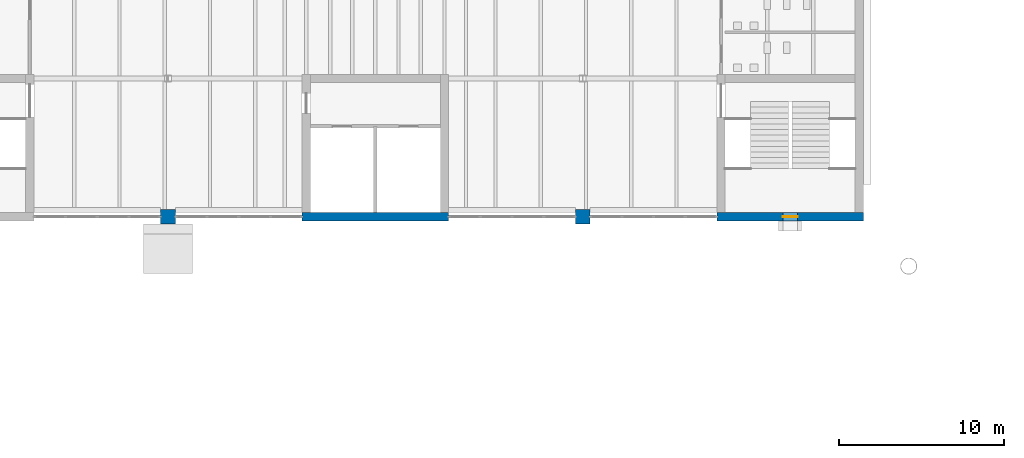
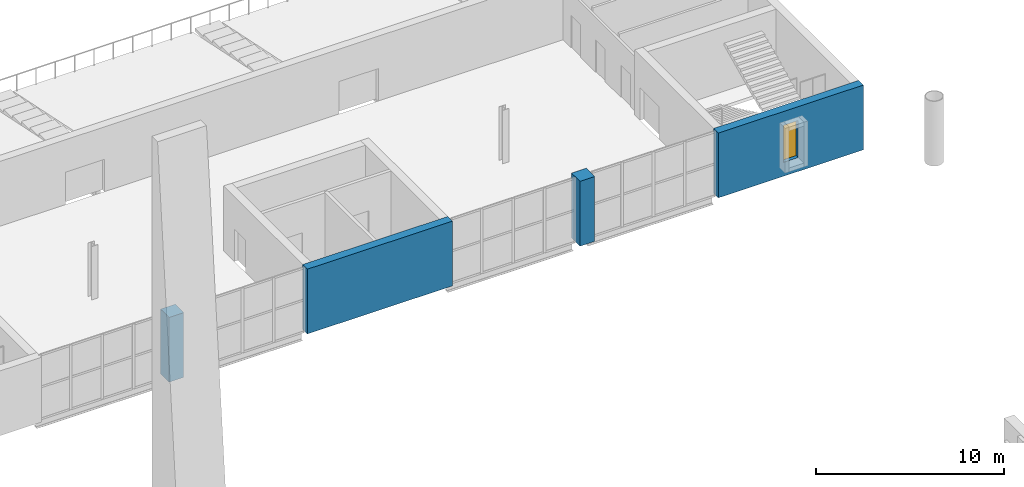
# One storey, part 68 of 100: 4 walls, 1 window, 1 opening.
"""IFC4 building model written with IfcOpenShell, lengths in metres."""

from ifc_helpers import new_model, si_unit, direction, frame, frame_2d, origin, place, context, subcontext, project, spatial, rectangle, extrude, material, layer, layer_set, type_object, element, fill, save


model = new_model("IFC4")

# Units and contexts
model_context = context("Model", 3, precision=1e-05, world=origin(), true_north=direction((0.0, 1.0)))
body_context = subcontext(model_context, "Body", "Model", "MODEL_VIEW")
ifc_project = project(units=[si_unit("LENGTHUNIT", "METRE"), si_unit("AREAUNIT", "SQUARE_METRE"), si_unit("VOLUMEUNIT", "CUBIC_METRE"), si_unit("PLANEANGLEUNIT", "RADIAN"), si_unit("MASSUNIT", "GRAM", prefix="KILO")], contexts=[model_context])

# Site, building, storey
site_placement = place(None, origin())
site = spatial("IfcSite", under=ifc_project, at=site_placement, CompositionType="ELEMENT")
building_placement = place(site_placement, origin())
building = spatial("IfcBuilding", under=site, at=building_placement, Name="Cresset Court Congress Hotel", CompositionType="ELEMENT")
storey_placement = place(building_placement, frame((0.0, 0.0, 10.199951171875)))
storey = spatial("IfcBuildingStorey", under=building, at=storey_placement, Name="L02", CompositionType="ELEMENT", Elevation=10.199951171875)

# Wall
ifc_material_1 = material(Name="Limestone-faced precast concrete C50", Category="masonry")
ifc_layer_1 = layer(ifc_material_1, 0.5)
ifc_layer_set_1 = layer_set([ifc_layer_1], Name="Hall perimeter wall 500")
wall_type_1 = type_object("IfcWallType", Name="Hall perimeter wall 500", PredefinedType="SOLIDWALL", material=ifc_layer_set_1)
wall_1_placement = place(storey_placement, frame((92.64990234375, 58.800048828125, 0.0), z_axis=(0.0, 0.0, 1.0), x_axis=(-1.0, 0.0, 0.0)))
element("IfcWall", 1, at=wall_1_placement, inside=storey, type_object=wall_type_1, Name="Wall CW-SL02-2", PredefinedType="SOLIDWALL", context=body_context, shape_type="SweptSolid", body=[
    extrude(rectangle(XDim=8.89990234375, YDim=0.5, at=frame_2d((4.449951171875, 0.0))), origin(), (0.0, 0.0, 1.0), 4.199951171875),
])

# Wall, opening, window
wall_2_placement = place(storey_placement, frame((117.85009765625, 58.800048828125, 0.0), z_axis=(0.0, 0.0, 1.0), x_axis=(-1.0, 0.0, 0.0)))
wall_2 = element("IfcWall", 2, at=wall_2_placement, inside=storey, type_object=wall_type_1, Name="Wall CW-SL02-3", PredefinedType="SOLIDWALL", context=body_context, shape_type="SweptSolid", body=[
    extrude(rectangle(XDim=8.900146484375, YDim=0.5, at=frame_2d((4.4501953125, 0.0))), origin(), (0.0, 0.0, 1.0), 4.199951171875),
])
opening_placement = place(wall_2_placement, frame((4.0, 0.0, 0.89990234375)))
opening = element("IfcOpeningElement", 3, at=opening_placement, cuts=wall_2, Name="Opening NC-02-C2", PredefinedType="OPENING", context=body_context, shape_type="SweptSolid", body=[
    extrude(rectangle(XDim=0.89990234375, YDim=2.39990234375, at=frame_2d((0.449951171875, 1.199951171875))), frame((0.0, 0.260009765625, 0.0), z_axis=(0.0, -1.0, 0.0), x_axis=(1.0, 0.0, 0.0)), (0.0, 0.0, 1.0), 0.52001953125),
])
ifc_material_2 = material(Name="Aluminium and glass", Category="aluminium")
window_type = type_object("IfcWindowType", Name="Fixed window 900x2400", PartitioningType="SINGLE_PANEL", PredefinedType="WINDOW", material=ifc_material_2)
window_placement = place(opening_placement, origin())
window = element("IfcWindow", 4, at=window_placement, inside=storey, type_object=window_type, Name="Window NC-02-C2", OverallHeight=2.39990234375, OverallWidth=0.89990234375, PartitioningType="SINGLE_PANEL", PredefinedType="WINDOW", context=body_context, shape_type="SweptSolid", body=[
    extrude(rectangle(XDim=0.89990234375, YDim=2.39990234375, at=frame_2d((0.449951171875, 1.199951171875))), frame((0.0, 0.030029296875, 0.0), z_axis=(0.0, -1.0, 0.0), x_axis=(1.0, 0.0, 0.0)), (0.0, 0.0, 1.0), 0.06005859375),
])
fill(opening, window)

# Walls
ifc_material_3 = material(Name="Concrete C50", Category="concrete")
ifc_layer_2 = layer(ifc_material_3, 0.89990234375)
ifc_layer_set_2 = layer_set([ifc_layer_2], Name="Hall pilaster 900x900")
wall_type_2 = type_object("IfcWallType", Name="Hall pilaster 900x900", PredefinedType="SOLIDWALL", material=ifc_layer_set_2)
wall_3_placement = place(storey_placement, frame((75.14990234375, 58.800048828125, 0.0), z_axis=(0.0, 0.0, 1.0), x_axis=(1.0, 0.0, 0.0)))
element("IfcWall", 5, at=wall_3_placement, inside=storey, type_object=wall_type_2, Name="Pilaster P-S1", PredefinedType="SOLIDWALL", context=body_context, shape_type="SweptSolid", body=[
    extrude(rectangle(XDim=0.900146484375, YDim=0.89990234375, at=frame_2d((0.4501953125, 0.0))), origin(), (0.0, 0.0, 1.0), 4.199951171875),
])
wall_4_placement = place(storey_placement, frame((100.35009765625, 58.800048828125, 0.0), z_axis=(0.0, 0.0, 1.0), x_axis=(1.0, 0.0, 0.0)))
element("IfcWall", 6, at=wall_4_placement, inside=storey, type_object=wall_type_2, Name="Pilaster P-S2", PredefinedType="SOLIDWALL", context=body_context, shape_type="SweptSolid", body=[
    extrude(rectangle(XDim=0.89990234375, YDim=0.89990234375, at=frame_2d((0.449951171875, 0.0))), origin(), (0.0, 0.0, 1.0), 4.199951171875),
])

save(model, "model.ifc")
